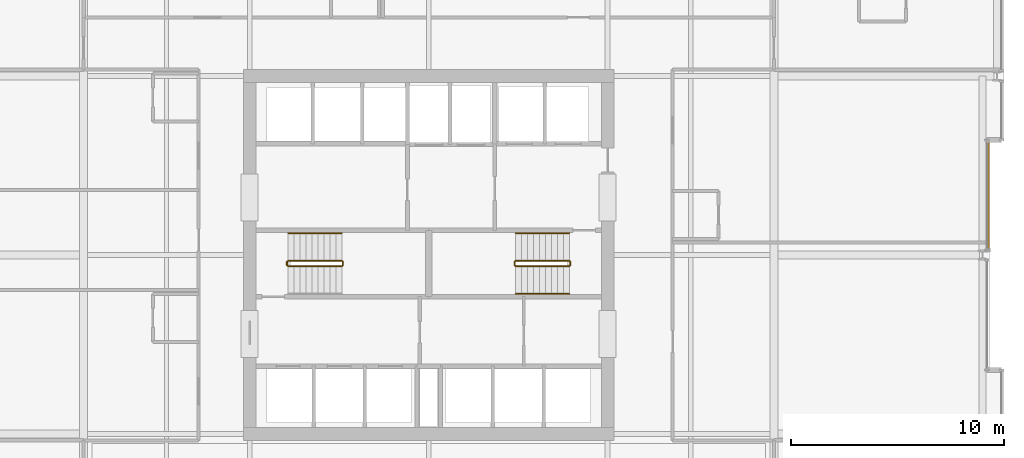
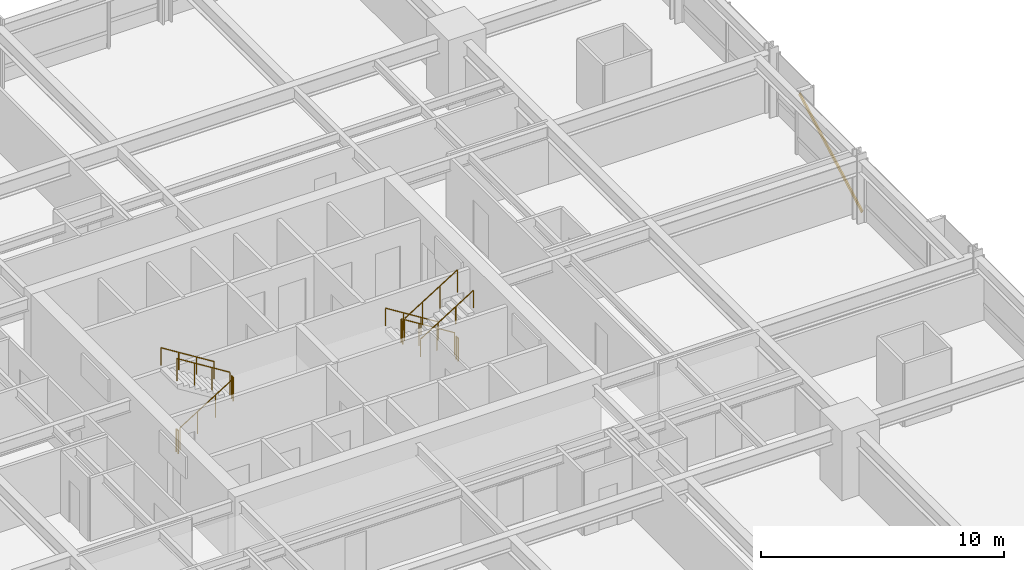
# One storey, part 36 of 37: 11 railings, 1 shading device.
"""IFC4 building model written with IfcOpenShell, lengths in metres."""

from ifc_helpers import new_model, si_unit, direction, frame, origin, origin_2d, place, context, subcontext, project, spatial, hollow_rectangle, circle, extrude, material, material_profile, profile_set, type_object, element, save


model = new_model("IFC4")

# Units and contexts
model_context = context("Model", 3, precision=1e-05, world=origin(), true_north=direction((0.0, 1.0)))
body_context = subcontext(model_context, "Body", "Model", "MODEL_VIEW")
ifc_project = project(units=[si_unit("LENGTHUNIT", "METRE"), si_unit("AREAUNIT", "SQUARE_METRE"), si_unit("VOLUMEUNIT", "CUBIC_METRE"), si_unit("PLANEANGLEUNIT", "RADIAN"), si_unit("MASSUNIT", "GRAM", prefix="KILO")], contexts=[model_context])

# Site, building, storey
site_placement = place(None, origin())
site = spatial("IfcSite", under=ifc_project, at=site_placement, CompositionType="ELEMENT")
building_placement = place(site_placement, origin())
building = spatial("IfcBuilding", under=site, at=building_placement, Name="Drelvath Grand Hotel", CompositionType="ELEMENT")
storey_placement = place(building_placement, frame((0.0, 0.0, 78.699951171875)))
storey = spatial("IfcBuildingStorey", under=building, at=storey_placement, Name="L19", CompositionType="ELEMENT", Elevation=78.699951171875)

# Railings
ifc_material_1 = material(Name="Painted Steel S275", Category="steel")
railing_type_1 = type_object("IfcRailingType", Name="Core Stair Wall Handrail 900", PredefinedType="HANDRAIL", material=ifc_material_1)
for number, where, name in (
    (1, (-4.080078125, 28.030029296875, 1.925048828125), "L19 ST-1 stair handrail 2"),
    (2, (6.60009765625, 28.030029296875, 0.175048828125), "L19 ST-2 stair handrail 1"),
):
    element("IfcRailing", number, at=place(storey_placement, frame(where)), inside=storey, type_object=railing_type_1, Name=name, PredefinedType="HANDRAIL", context=body_context, shape_type="SweptSolid", body=[
        extrude(circle(Radius=0.02392578125, at=origin_2d()), frame((0.0, 0.0, 0.8759765625), z_axis=(-0.848007534815, 0.0, 0.529984170421), x_axis=(0.0, -1.0, 0.0)), (0.0, 0.0, 1.0), 2.9716796875),
        extrude(circle(Radius=0.02099609375, at=origin_2d()), origin(), (0.0, 0.0, 1.0), 0.851806640625),
        extrude(circle(Radius=0.02099609375, at=origin_2d()), frame((-0.840087890625, 0.0, 0.52490234375)), (0.0, 0.0, 1.0), 0.851806640625),
        extrude(circle(Radius=0.02099609375, at=origin_2d()), frame((-1.679931640625, 0.0, 1.050048828125)), (0.0, 0.0, 1.0), 0.851806640625),
        extrude(circle(Radius=0.02099609375, at=origin_2d()), frame((-2.52001953125, 0.0, 1.574951171875)), (0.0, 0.0, 1.0), 0.851806640625),
    ])
railing_1_placement = place(storey_placement, frame((4.080078125, 25.169921875, 1.925048828125)))
element("IfcRailing", 3, at=railing_1_placement, inside=storey, type_object=railing_type_1, Name="L19 ST-2 stair handrail 2", PredefinedType="HANDRAIL", context=body_context, shape_type="SweptSolid", body=[
    extrude(circle(Radius=0.02392578125, at=origin_2d()), frame((0.0, 0.0, 0.8759765625), z_axis=(0.848007534815, 0.0, 0.529984170421), x_axis=(0.0, 1.0, 0.0)), (0.0, 0.0, 1.0), 2.9716796875),
    extrude(circle(Radius=0.02099609375, at=origin_2d()), origin(), (0.0, 0.0, 1.0), 0.851806640625),
    extrude(circle(Radius=0.02099609375, at=origin_2d()), frame((0.840087890625, 0.0, 0.52490234375)), (0.0, 0.0, 1.0), 0.851806640625),
    extrude(circle(Radius=0.02099609375, at=origin_2d()), frame((1.679931640625, 0.0, 1.050048828125)), (0.0, 0.0, 1.0), 0.851806640625),
    extrude(circle(Radius=0.02099609375, at=origin_2d()), frame((2.52001953125, 0.0, 1.574951171875)), (0.0, 0.0, 1.0), 0.851806640625),
])
railing_type_2 = type_object("IfcRailingType", Name="Core Stair Well Guardrail 1100", PredefinedType="GUARDRAIL", material=ifc_material_1)
railing_2_placement = place(storey_placement, frame((-6.60009765625, 26.469970703125, 0.175048828125)))
element("IfcRailing", 4, at=railing_2_placement, inside=storey, type_object=railing_type_2, Name="L19 ST-1 stair guard 1", PredefinedType="GUARDRAIL", context=body_context, shape_type="SweptSolid", body=[
    extrude(circle(Radius=0.02392578125, at=origin_2d()), frame((0.0, 0.0, 1.1259765625), z_axis=(0.848007534815, 0.0, 0.529984170421), x_axis=(0.0, 1.0, 0.0)), (0.0, 0.0, 1.0), 2.9716796875),
    extrude(circle(Radius=0.02099609375, at=origin_2d()), origin(), (0.0, 0.0, 1.0), 1.101806640625),
    extrude(circle(Radius=0.02099609375, at=origin_2d()), frame((0.840087890625, 0.0, 0.52490234375)), (0.0, 0.0, 1.0), 1.101806640625),
    extrude(circle(Radius=0.02099609375, at=origin_2d()), frame((1.679931640625, 0.0, 1.050048828125)), (0.0, 0.0, 1.0), 1.101806640625),
    extrude(circle(Radius=0.02099609375, at=origin_2d()), frame((2.52001953125, 0.0, 1.574951171875)), (0.0, 0.0, 1.0), 1.101806640625),
])
railing_3_placement = place(storey_placement, frame((-4.030029296875, 26.52001953125, 1.75)))
element("IfcRailing", 5, at=railing_3_placement, inside=storey, type_object=railing_type_2, Name="L19 ST-1 stair guard 2", PredefinedType="GUARDRAIL", context=body_context, shape_type="SweptSolid", body=[
    extrude(circle(Radius=0.02392578125, at=origin_2d()), frame((0.0, 0.0, 1.1259765625), z_axis=(0.0, 1.0, 0.0), x_axis=(-1.0, 0.0, 0.0)), (0.0, 0.0, 1.0), 0.159912109375),
    extrude(circle(Radius=0.02099609375, at=origin_2d()), origin(), (0.0, 0.0, 1.0), 1.101806640625),
    extrude(circle(Radius=0.02099609375, at=origin_2d()), frame((0.0, 0.159912109375, 0.0)), (0.0, 0.0, 1.0), 1.101806640625),
])
railing_4_placement = place(storey_placement, frame((-4.080078125, 26.72998046875, 1.925048828125)))
element("IfcRailing", 6, at=railing_4_placement, inside=storey, type_object=railing_type_2, Name="L19 ST-1 stair guard 3", PredefinedType="GUARDRAIL", context=body_context, shape_type="SweptSolid", body=[
    extrude(circle(Radius=0.02392578125, at=origin_2d()), frame((0.0, 0.0, 1.1259765625), z_axis=(-0.848007534815, 0.0, 0.529984170421), x_axis=(0.0, -1.0, 0.0)), (0.0, 0.0, 1.0), 2.9716796875),
    extrude(circle(Radius=0.02099609375, at=origin_2d()), origin(), (0.0, 0.0, 1.0), 1.101806640625),
    extrude(circle(Radius=0.02099609375, at=origin_2d()), frame((-0.840087890625, 0.0, 0.52490234375)), (0.0, 0.0, 1.0), 1.101806640625),
    extrude(circle(Radius=0.02099609375, at=origin_2d()), frame((-1.679931640625, 0.0, 1.050048828125)), (0.0, 0.0, 1.0), 1.101806640625),
    extrude(circle(Radius=0.02099609375, at=origin_2d()), frame((-2.52001953125, 0.0, 1.574951171875)), (0.0, 0.0, 1.0), 1.101806640625),
])
railing_5_placement = place(storey_placement, frame((-6.64990234375, 26.52001953125, 0.0)))
element("IfcRailing", 7, at=railing_5_placement, inside=storey, type_object=railing_type_2, Name="L19 ST-1 stair guard 4", PredefinedType="GUARDRAIL", context=body_context, shape_type="SweptSolid", body=[
    extrude(circle(Radius=0.02392578125, at=origin_2d()), frame((0.0, 0.0, 1.1259765625), z_axis=(0.0, 1.0, 0.0), x_axis=(-1.0, 0.0, 0.0)), (0.0, 0.0, 1.0), 0.159912109375),
    extrude(circle(Radius=0.02099609375, at=origin_2d()), origin(), (0.0, 0.0, 1.0), 1.101806640625),
    extrude(circle(Radius=0.02099609375, at=origin_2d()), frame((0.0, 0.159912109375, 0.0)), (0.0, 0.0, 1.0), 1.101806640625),
])
railing_6_placement = place(storey_placement, frame((6.60009765625, 26.72998046875, 0.175048828125)))
element("IfcRailing", 8, at=railing_6_placement, inside=storey, type_object=railing_type_2, Name="L19 ST-2 stair guard 1", PredefinedType="GUARDRAIL", context=body_context, shape_type="SweptSolid", body=[
    extrude(circle(Radius=0.02392578125, at=origin_2d()), frame((0.0, 0.0, 1.1259765625), z_axis=(-0.848007534815, 0.0, 0.529984170421), x_axis=(0.0, -1.0, 0.0)), (0.0, 0.0, 1.0), 2.9716796875),
    extrude(circle(Radius=0.02099609375, at=origin_2d()), origin(), (0.0, 0.0, 1.0), 1.101806640625),
    extrude(circle(Radius=0.02099609375, at=origin_2d()), frame((-0.840087890625, 0.0, 0.52490234375)), (0.0, 0.0, 1.0), 1.101806640625),
    extrude(circle(Radius=0.02099609375, at=origin_2d()), frame((-1.679931640625, 0.0, 1.050048828125)), (0.0, 0.0, 1.0), 1.101806640625),
    extrude(circle(Radius=0.02099609375, at=origin_2d()), frame((-2.52001953125, 0.0, 1.574951171875)), (0.0, 0.0, 1.0), 1.101806640625),
])
railing_7_placement = place(storey_placement, frame((4.030029296875, 26.679931640625, 1.75)))
element("IfcRailing", 9, at=railing_7_placement, inside=storey, type_object=railing_type_2, Name="L19 ST-2 stair guard 2", PredefinedType="GUARDRAIL", context=body_context, shape_type="SweptSolid", body=[
    extrude(circle(Radius=0.02392578125, at=origin_2d()), frame((0.0, 0.0, 1.1259765625), z_axis=(0.0, -1.0, 0.0), x_axis=(1.0, 0.0, 0.0)), (0.0, 0.0, 1.0), 0.159912109375),
    extrude(circle(Radius=0.02099609375, at=origin_2d()), origin(), (0.0, 0.0, 1.0), 1.101806640625),
    extrude(circle(Radius=0.02099609375, at=origin_2d()), frame((0.0, -0.159912109375, 0.0)), (0.0, 0.0, 1.0), 1.101806640625),
])
railing_8_placement = place(storey_placement, frame((4.080078125, 26.469970703125, 1.925048828125)))
element("IfcRailing", 10, at=railing_8_placement, inside=storey, type_object=railing_type_2, Name="L19 ST-2 stair guard 3", PredefinedType="GUARDRAIL", context=body_context, shape_type="SweptSolid", body=[
    extrude(circle(Radius=0.02392578125, at=origin_2d()), frame((0.0, 0.0, 1.1259765625), z_axis=(0.848007534815, 0.0, 0.529984170421), x_axis=(0.0, 1.0, 0.0)), (0.0, 0.0, 1.0), 2.9716796875),
    extrude(circle(Radius=0.02099609375, at=origin_2d()), origin(), (0.0, 0.0, 1.0), 1.101806640625),
    extrude(circle(Radius=0.02099609375, at=origin_2d()), frame((0.840087890625, 0.0, 0.52490234375)), (0.0, 0.0, 1.0), 1.101806640625),
    extrude(circle(Radius=0.02099609375, at=origin_2d()), frame((1.679931640625, 0.0, 1.050048828125)), (0.0, 0.0, 1.0), 1.101806640625),
    extrude(circle(Radius=0.02099609375, at=origin_2d()), frame((2.52001953125, 0.0, 1.574951171875)), (0.0, 0.0, 1.0), 1.101806640625),
])
railing_9_placement = place(storey_placement, frame((6.64990234375, 26.679931640625, 0.0)))
element("IfcRailing", 11, at=railing_9_placement, inside=storey, type_object=railing_type_2, Name="L19 ST-2 stair guard 4", PredefinedType="GUARDRAIL", context=body_context, shape_type="SweptSolid", body=[
    extrude(circle(Radius=0.02392578125, at=origin_2d()), frame((0.0, 0.0, 1.1259765625), z_axis=(0.0, -1.0, 0.0), x_axis=(1.0, 0.0, 0.0)), (0.0, 0.0, 1.0), 0.159912109375),
    extrude(circle(Radius=0.02099609375, at=origin_2d()), origin(), (0.0, 0.0, 1.0), 1.101806640625),
    extrude(circle(Radius=0.02099609375, at=origin_2d()), frame((0.0, -0.159912109375, 0.0)), (0.0, 0.0, 1.0), 1.101806640625),
])

# Shading device
ifc_material_2 = material(Name="Warm Bronze Anodised Aluminium", Category="aluminium")
ifc_material_profile = material_profile(ifc_material_2, hollow_rectangle(XDim=0.06494140625, YDim=0.159912109375, WallThickness=0.00390625, at=origin_2d()), Name="HSS160X65X4")
ifc_profile_set = profile_set([ifc_material_profile], Name="Warm Bronze Anodised Aluminium")
shading_device_type = type_object("IfcShadingDeviceType", Name="Diagonal Solar Fin Warm Bronze Anodised HSS160X65X4", PredefinedType="USERDEFINED", material=ifc_profile_set)
shading_device_placement = place(storey_placement, frame((26.280029296875, 27.22900390625, 0.179931640625), z_axis=(0.0, 0.877925669135, 0.47879695015), x_axis=(-1.0, 0.0, 0.0)))
element("IfcShadingDevice", 12, at=shading_device_placement, inside=storey, type_object=shading_device_type, Name="L19 Diagonal Anodised Fin CW02-L19-EM2", ObjectType="FIN", PredefinedType="USERDEFINED", context=body_context, shape_type="SweptSolid", body=[
    extrude(hollow_rectangle(XDim=0.06494140625, YDim=0.159912109375, WallThickness=0.00390625, at=origin_2d()), origin(), (0.0, 0.0, 1.0), 5.889892578125),
])

save(model, "model.ifc")
